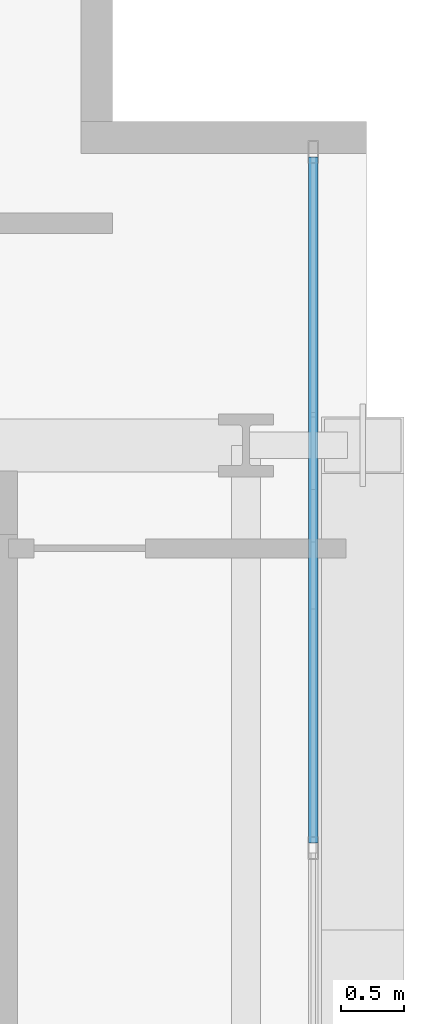
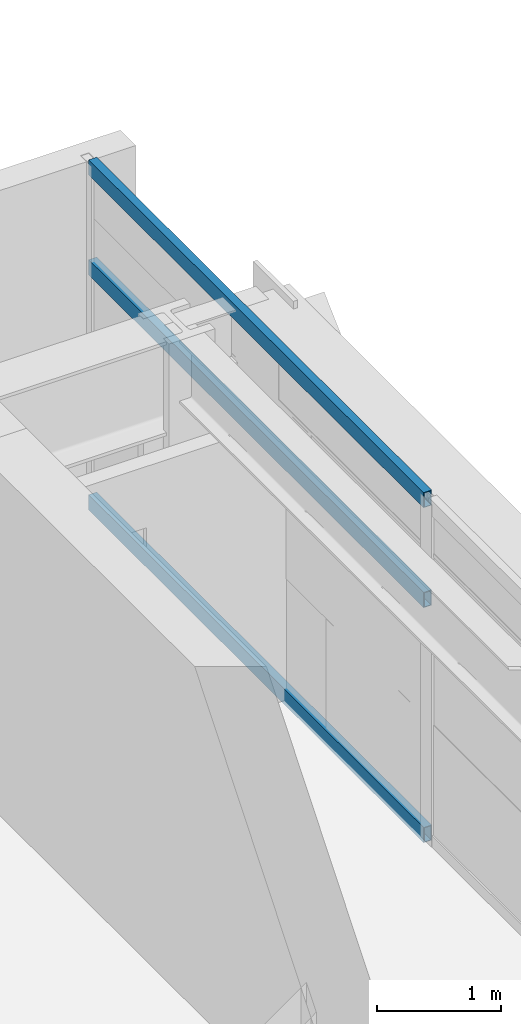
# One storey, part 15 of 31: 3 members, 1 element without a shape of its own.
"""IFC4 building model written with IfcOpenShell, lengths in metres."""

from ifc_helpers import new_model, si_unit, direction, frame, origin, origin_2d, place, context, subcontext, project, spatial, hollow_rectangle, extrude, source, transform, mapped, material, layer, layer_set, material_profile, profile_set, type_object, element, aggregate, save


model = new_model("IFC4")

# Units and contexts
model_context = context("Model", 3, precision=1e-05, world=origin(), true_north=direction((0.0, 1.0)))
body_context = subcontext(model_context, "Body", "Model", "MODEL_VIEW")
ifc_project = project(units=[si_unit("LENGTHUNIT", "METRE"), si_unit("AREAUNIT", "SQUARE_METRE"), si_unit("VOLUMEUNIT", "CUBIC_METRE"), si_unit("PLANEANGLEUNIT", "RADIAN"), si_unit("MASSUNIT", "GRAM", prefix="KILO")], contexts=[model_context])

# Site, building, storey
site_placement = place(None, origin())
site = spatial("IfcSite", under=ifc_project, at=site_placement, CompositionType="ELEMENT")
building_placement = place(site_placement, origin())
building = spatial("IfcBuilding", under=site, at=building_placement, Name="Ocotamira Hotel", CompositionType="ELEMENT")
storey_placement = place(building_placement, frame((0.0, 0.0, 199.199951171875)))
storey = spatial("IfcBuildingStorey", under=building, at=storey_placement, Name="L50", CompositionType="ELEMENT", Elevation=199.199951171875)

# Curtain wall, members
ifc_material_1 = material(Name="Anodised pale-metal aluminium and solar glass", Category="aluminium")
ifc_layer = layer(ifc_material_1, 0.199951171875)
ifc_layer_set = layer_set([ifc_layer], Name="Anodised pale-metal aluminium and solar glass")
curtain_wall_type = type_object("IfcCurtainWallType", Name="CW-SYS4-Z3", PredefinedType="NOTDEFINED", material=ifc_layer_set)
curtain_wall_placement = place(storey_placement, origin())
curtain_wall = element("IfcCurtainWall", 1, at=curtain_wall_placement, inside=storey, type_object=curtain_wall_type, Name="L50 Curtain Wall CW-4 CW-L50-E", PredefinedType="NOTDEFINED")
ifc_material_2 = material(Name="Anodised pale-metal aluminium 6063-T6", Category="aluminium")
ifc_material_profile = material_profile(ifc_material_2, hollow_rectangle(XDim=0.074951171875, YDim=0.14990234375, WallThickness=0.006103515625, at=origin_2d()), Name="HSS150X75X6")
ifc_profile_set = profile_set([ifc_material_profile], Name="Anodised pale-metal aluminium 6063-T6")
member_type = type_object("IfcMemberType", Name="CWT-150X75", PredefinedType="USERDEFINED", material=ifc_profile_set)
shared_shape = source(origin(), body_context, "Body", "SweptSolid", [
    extrude(hollow_rectangle(XDim=0.074951171875, YDim=0.14990234375, WallThickness=0.006103515625, at=origin_2d()), origin(), (0.0, 0.0, 1.0), 5.39990234375),
])
member_1_placement = place(storey_placement, frame((55.580078125, 34.320068359375, 0.03759765625), z_axis=(0.0, 1.0, 0.0), x_axis=(-1.0, 0.0, 0.0)))
member_1 = element("IfcMember", 2, at=member_1_placement, type_object=member_type, Name="CW-4 transom 5.1", ObjectType="TRANSOM", PredefinedType="USERDEFINED", context=body_context, shape_type="MappedRepresentation", body=[
    mapped(shared_shape, transform((0.0, 0.0, 0.0), scale=1.0)),
])
member_2_placement = place(storey_placement, frame((55.580078125, 34.320068359375, 2.35009765625), z_axis=(0.0, 1.0, 0.0), x_axis=(-1.0, 0.0, 0.0)))
member_2 = element("IfcMember", 3, at=member_2_placement, type_object=member_type, Name="CW-4 transom 5.2", ObjectType="TRANSOM", PredefinedType="USERDEFINED", context=body_context, shape_type="MappedRepresentation", body=[
    mapped(shared_shape, transform((0.0, 0.0, 0.0), scale=1.0)),
])
member_3_placement = place(storey_placement, frame((55.580078125, 34.320068359375, 3.33251953125), z_axis=(0.0, 1.0, 0.0), x_axis=(-1.0, 0.0, 0.0)))
member_3 = element("IfcMember", 4, at=member_3_placement, type_object=member_type, Name="CW-4 transom 5.3", ObjectType="TRANSOM", PredefinedType="USERDEFINED", context=body_context, shape_type="MappedRepresentation", body=[
    mapped(shared_shape, transform((0.0, 0.0, 0.0), scale=1.0)),
])
aggregate(curtain_wall, [member_1, member_2, member_3])

save(model, "model.ifc")
